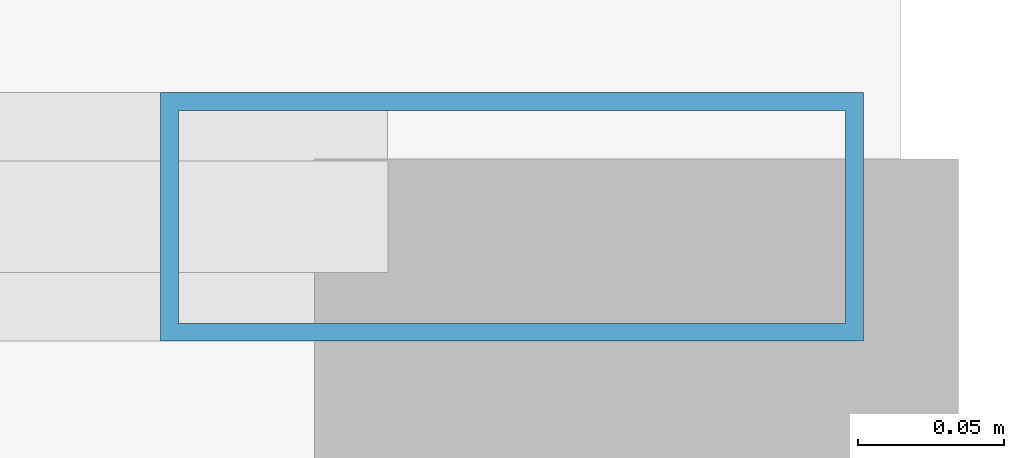
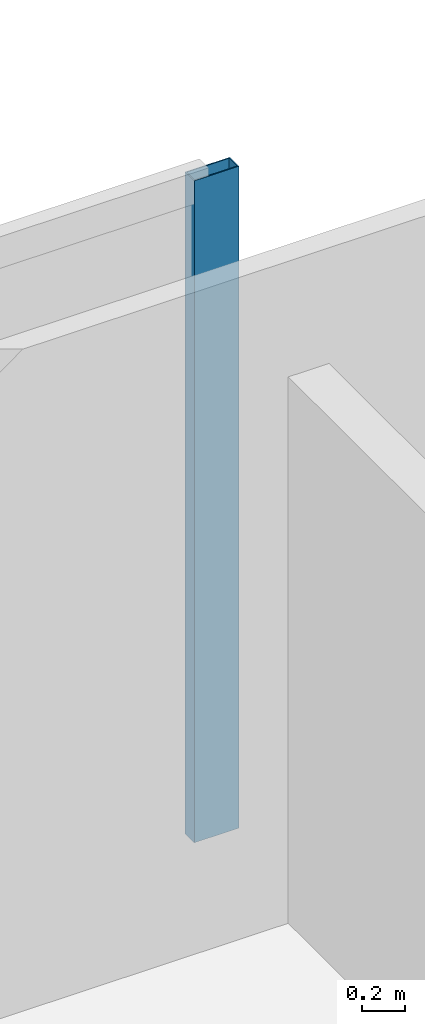
# One storey, part 24 of 32: 1 member, 1 element without a shape of its own.
"""IFC4 building model written with IfcOpenShell, lengths in metres."""

from ifc_helpers import new_model, si_unit, direction, frame, origin, origin_2d, place, context, subcontext, project, spatial, hollow_rectangle, extrude, material, material_profile, profile_set, type_object, element, aggregate, save


model = new_model("IFC4")

# Units and contexts
model_context = context("Model", 3, precision=1e-05, world=origin(), true_north=direction((0.0, 1.0)))
body_context = subcontext(model_context, "Body", "Model", "MODEL_VIEW")
ifc_project = project(units=[si_unit("LENGTHUNIT", "METRE"), si_unit("AREAUNIT", "SQUARE_METRE"), si_unit("VOLUMEUNIT", "CUBIC_METRE"), si_unit("PLANEANGLEUNIT", "RADIAN"), si_unit("MASSUNIT", "GRAM", prefix="KILO")], contexts=[model_context])

# Site, building, storey
site_placement = place(None, origin())
site = spatial("IfcSite", under=ifc_project, at=site_placement, CompositionType="ELEMENT")
building_placement = place(site_placement, origin())
building = spatial("IfcBuilding", under=site, at=building_placement, Name="Khoronbel Lancet Exchange", CompositionType="ELEMENT")
storey_placement = place(building_placement, frame((0.0, 0.0, 81.800048828125)))
storey = spatial("IfcBuildingStorey", under=building, at=storey_placement, Name="L19", CompositionType="ELEMENT", Elevation=81.800048828125)

# Curtain wall, member
ifc_material_1 = material(Name="Low-E Solar Control Insulating Glass", Category="glass")
curtain_wall_type = type_object("IfcCurtainWallType", Name="CW-2", PredefinedType="NOTDEFINED", material=ifc_material_1)
curtain_wall_placement = place(storey_placement, origin())
curtain_wall = element("IfcCurtainWall", 1, at=curtain_wall_placement, inside=storey, type_object=curtain_wall_type, Name="Unitised curtain wall CW-L19-NEFLK", PredefinedType="NOTDEFINED")
ifc_material_2 = material(Name="Bronze-Anodised Aluminium 6063-T6", Category="aluminium")
ifc_material_profile = material_profile(ifc_material_2, hollow_rectangle(XDim=0.0849609375, YDim=0.239990234375, WallThickness=0.006103515625, at=origin_2d()), Name="ALU MULLION 85x240")
ifc_profile_set = profile_set([ifc_material_profile], Name="Bronze-Anodised Aluminium 6063-T6")
member_type = type_object("IfcMemberType", Name="MEM-CWM1", PredefinedType="MULLION", material=ifc_profile_set)
member_placement = place(storey_placement, frame((65.91748046875, 53.610107421875, 0.0), z_axis=(0.0, 0.0, 1.0), x_axis=(0.0, -1.0, 0.0)))
member = element("IfcMember", 2, at=member_placement, type_object=member_type, Name="CW2 mullion 1", PredefinedType="MULLION", context=body_context, shape_type="SweptSolid", body=[
    extrude(hollow_rectangle(XDim=0.0849609375, YDim=0.239990234375, WallThickness=0.006103515625, at=origin_2d()), origin(), (0.0, 0.0, 1.0), 3.780029296875),
])
aggregate(curtain_wall, [member])

save(model, "model.ifc")
